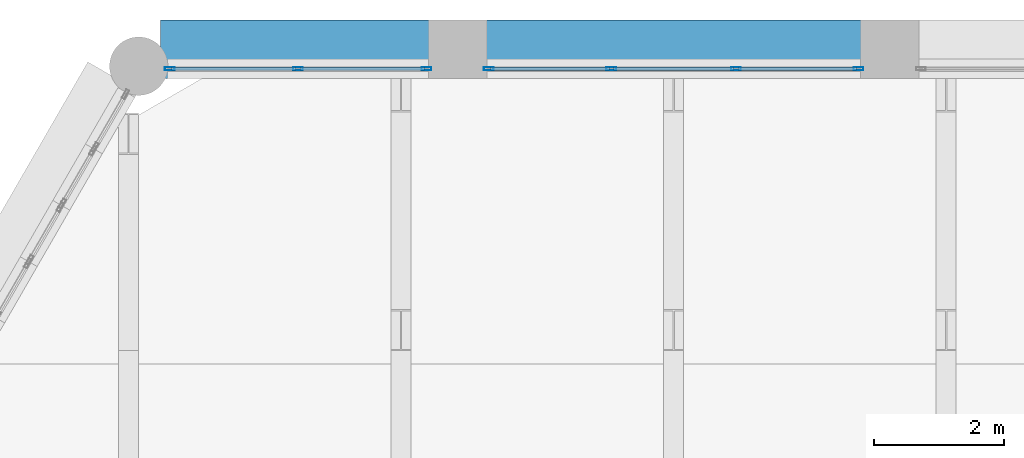
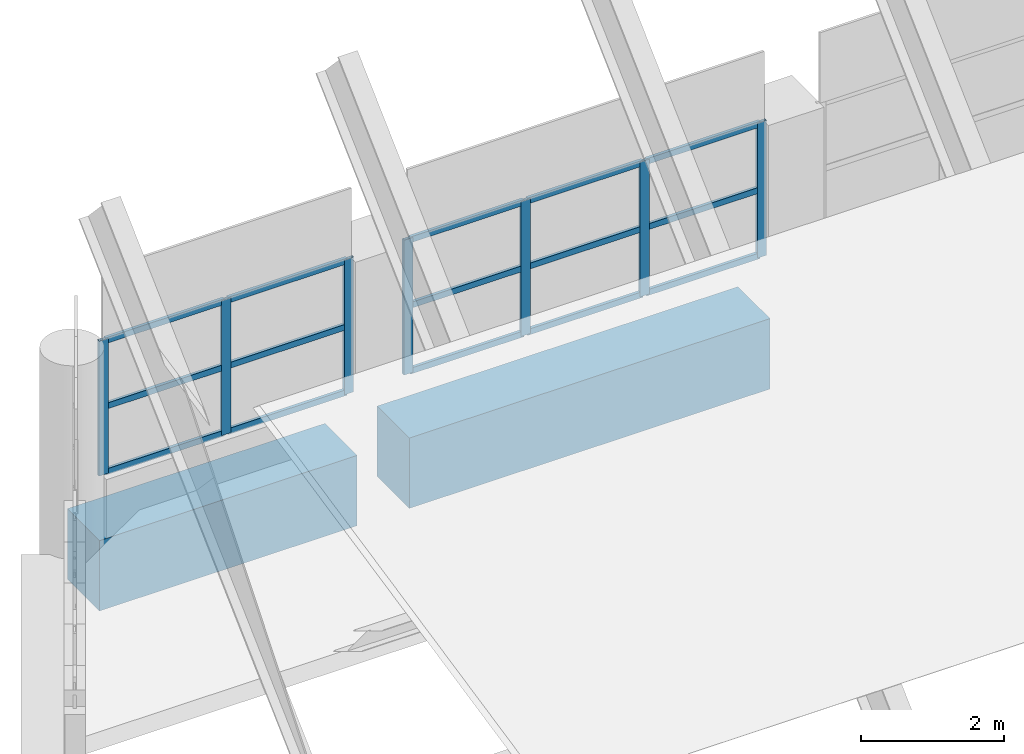
# One storey, part 5 of 11: 22 members, 2 beams, 2 elements without a shape of their own.
"""IFC4 building model written with IfcOpenShell, lengths in metres."""

from ifc_helpers import new_model, si_unit, direction, frame, origin, origin_2d, place, context, subcontext, project, spatial, rectangle, hollow_rectangle, extrude, material, material_profile, profile_set, type_object, element, aggregate, save


model = new_model("IFC4")

# Units and contexts
model_context = context("Model", 3, precision=1e-05, world=origin(), true_north=direction((0.0, 1.0)))
body_context = subcontext(model_context, "Body", "Model", "MODEL_VIEW")
ifc_project = project(units=[si_unit("LENGTHUNIT", "METRE"), si_unit("AREAUNIT", "SQUARE_METRE"), si_unit("VOLUMEUNIT", "CUBIC_METRE"), si_unit("PLANEANGLEUNIT", "RADIAN"), si_unit("MASSUNIT", "GRAM", prefix="KILO")], contexts=[model_context])

# Site, building, storey
site_placement = place(None, origin())
site = spatial("IfcSite", under=ifc_project, at=site_placement, CompositionType="ELEMENT")
building_placement = place(site_placement, origin())
building = spatial("IfcBuilding", under=site, at=building_placement, Name="Ostrander Bayou Hotel Tower", CompositionType="ELEMENT")
storey_placement = place(building_placement, frame((0.0, 0.0, 297.5)))
storey = spatial("IfcBuildingStorey", under=building, at=storey_placement, Name="Roof 73", CompositionType="ELEMENT", Elevation=297.5)

# Curtain wall, members
ifc_material_1 = material(Name="Aluminium and clear glass", Category="aluminium")
curtain_wall_type = type_object("IfcCurtainWallType", Name="CW-CROWN glazed wall", PredefinedType="NOTDEFINED", material=ifc_material_1)
curtain_wall_1_placement = place(storey_placement, origin())
curtain_wall_1 = element("IfcCurtainWall", 1, at=curtain_wall_1_placement, inside=storey, type_object=curtain_wall_type, Name="CW-CROWN L73:N-2", PredefinedType="NOTDEFINED")
ifc_material_2 = material(Name="Aluminium", Category="aluminium")
ifc_material_profile_1 = material_profile(ifc_material_2, hollow_rectangle(XDim=0.050048828125, YDim=0.14990234375, WallThickness=0.00390625, at=origin_2d()))
ifc_profile_set_1 = profile_set([ifc_material_profile_1], Name="Aluminium")
member_type_1 = type_object("IfcMemberType", Name="CW-CR mullion 50 x 150 mm", PredefinedType="MULLION", material=ifc_profile_set_1)
member_1_placement = place(storey_placement, frame((2.849365234375, 16.550048828125, 1.0), z_axis=(0.0, 0.0, 1.0), x_axis=(0.0, -1.0, 0.0)))
member_1 = element("IfcMember", 2, at=member_1_placement, type_object=member_type_1, Name="CW-CROWN mullion 1", PredefinedType="MULLION", context=body_context, shape_type="SweptSolid", body=[
    extrude(hollow_rectangle(XDim=0.050048828125, YDim=0.14990234375, WallThickness=0.00390625, at=origin_2d()), origin(), (0.0, 0.0, 1.0), 2.300048828125),
])
member_2_placement = place(storey_placement, frame((0.959716796875, 16.550048828125, 1.0), z_axis=(0.0, 0.0, 1.0), x_axis=(0.0, -1.0, 0.0)))
member_2 = element("IfcMember", 3, at=member_2_placement, type_object=member_type_1, Name="CW-CROWN mullion 2", PredefinedType="MULLION", context=body_context, shape_type="SweptSolid", body=[
    extrude(hollow_rectangle(XDim=0.050048828125, YDim=0.14990234375, WallThickness=0.00390625, at=origin_2d()), origin(), (0.0, 0.0, 1.0), 2.300048828125),
])
member_3_placement = place(storey_placement, frame((-0.959716796875, 16.550048828125, 1.0), z_axis=(0.0, 0.0, 1.0), x_axis=(0.0, -1.0, 0.0)))
member_3 = element("IfcMember", 4, at=member_3_placement, type_object=member_type_1, Name="CW-CROWN mullion 3", PredefinedType="MULLION", context=body_context, shape_type="SweptSolid", body=[
    extrude(hollow_rectangle(XDim=0.050048828125, YDim=0.14990234375, WallThickness=0.00390625, at=origin_2d()), origin(), (0.0, 0.0, 1.0), 2.300048828125),
])
member_4_placement = place(storey_placement, frame((-2.849365234375, 16.550048828125, 1.0), z_axis=(0.0, 0.0, 1.0), x_axis=(0.0, -1.0, 0.0)))
member_4 = element("IfcMember", 5, at=member_4_placement, type_object=member_type_1, Name="CW-CROWN mullion 4", PredefinedType="MULLION", context=body_context, shape_type="SweptSolid", body=[
    extrude(hollow_rectangle(XDim=0.050048828125, YDim=0.14990234375, WallThickness=0.00390625, at=origin_2d()), origin(), (0.0, 0.0, 1.0), 2.300048828125),
])

curtain_wall_2_placement = place(storey_placement, origin())
curtain_wall_2 = element("IfcCurtainWall", 6, at=curtain_wall_2_placement, inside=storey, type_object=curtain_wall_type, Name="CW-CROWN L73:N-3", PredefinedType="NOTDEFINED")
member_5_placement = place(storey_placement, frame((-3.809326171875, 16.550048828125, 1.0), z_axis=(0.0, 0.0, 1.0), x_axis=(0.0, -1.0, 0.0)))
member_5 = element("IfcMember", 7, at=member_5_placement, type_object=member_type_1, Name="CW-CROWN mullion 1", PredefinedType="MULLION", context=body_context, shape_type="SweptSolid", body=[
    extrude(hollow_rectangle(XDim=0.050048828125, YDim=0.14990234375, WallThickness=0.00390625, at=origin_2d()), origin(), (0.0, 0.0, 1.0), 2.300048828125),
])
member_6_placement = place(storey_placement, frame((-5.78759765625, 16.550048828125, 1.0), z_axis=(0.0, 0.0, 1.0), x_axis=(0.0, -1.0, 0.0)))
member_6 = element("IfcMember", 8, at=member_6_placement, type_object=member_type_1, Name="CW-CROWN mullion 2", PredefinedType="MULLION", context=body_context, shape_type="SweptSolid", body=[
    extrude(hollow_rectangle(XDim=0.050048828125, YDim=0.14990234375, WallThickness=0.00390625, at=origin_2d()), origin(), (0.0, 0.0, 1.0), 2.300048828125),
])
member_7_placement = place(storey_placement, frame((-7.765869140625, 16.550048828125, 1.0), z_axis=(0.0, 0.0, 1.0), x_axis=(0.0, -1.0, 0.0)))
member_7 = element("IfcMember", 9, at=member_7_placement, type_object=member_type_1, Name="CW-CROWN mullion 3", PredefinedType="MULLION", context=body_context, shape_type="SweptSolid", body=[
    extrude(hollow_rectangle(XDim=0.050048828125, YDim=0.14990234375, WallThickness=0.00390625, at=origin_2d()), origin(), (0.0, 0.0, 1.0), 2.300048828125),
])

# Member
ifc_material_3 = material(Name="Aluminium", Category="aluminium")
ifc_material_profile_2 = material_profile(ifc_material_3, hollow_rectangle(XDim=0.050048828125, YDim=0.10009765625, WallThickness=0.00390625, at=origin_2d()))
ifc_profile_set_2 = profile_set([ifc_material_profile_2], Name="Aluminium")
member_type_2 = type_object("IfcMemberType", Name="CW-CR transom 50 x 100 mm", PredefinedType="USERDEFINED", material=ifc_profile_set_2)
member_8_placement = place(storey_placement, frame((2.8193359375, 16.550048828125, 1.030029296875), z_axis=(-1.0, 0.0, 0.0), x_axis=(0.0, -1.0, 0.0)))
member_8 = element("IfcMember", 10, at=member_8_placement, type_object=member_type_2, Name="CW-CROWN transom 1.1", ObjectType="TRANSOM", PredefinedType="USERDEFINED", context=body_context, shape_type="SweptSolid", body=[
    extrude(hollow_rectangle(XDim=0.050048828125, YDim=0.10009765625, WallThickness=0.00390625, at=origin_2d()), origin(), (0.0, 0.0, 1.0), 1.82958984375),
])

member_9_placement = place(storey_placement, frame((2.8193359375, 16.550048828125, 2.14990234375), z_axis=(-1.0, 0.0, 0.0), x_axis=(0.0, -1.0, 0.0)))
member_9 = element("IfcMember", 11, at=member_9_placement, type_object=member_type_2, Name="CW-CROWN transom 1.2", ObjectType="TRANSOM", PredefinedType="USERDEFINED", context=body_context, shape_type="SweptSolid", body=[
    extrude(hollow_rectangle(XDim=0.050048828125, YDim=0.10009765625, WallThickness=0.00390625, at=origin_2d()), origin(), (0.0, 0.0, 1.0), 1.82958984375),
])

member_10_placement = place(storey_placement, frame((2.8193359375, 16.550048828125, 3.27001953125), z_axis=(-1.0, 0.0, 0.0), x_axis=(0.0, -1.0, 0.0)))
member_10 = element("IfcMember", 12, at=member_10_placement, type_object=member_type_2, Name="CW-CROWN transom 1.3", ObjectType="TRANSOM", PredefinedType="USERDEFINED", context=body_context, shape_type="SweptSolid", body=[
    extrude(hollow_rectangle(XDim=0.050048828125, YDim=0.10009765625, WallThickness=0.00390625, at=origin_2d()), origin(), (0.0, 0.0, 1.0), 1.82958984375),
])

member_11_placement = place(storey_placement, frame((0.9296875, 16.550048828125, 1.030029296875), z_axis=(-1.0, 0.0, 0.0), x_axis=(0.0, -1.0, 0.0)))
member_11 = element("IfcMember", 13, at=member_11_placement, type_object=member_type_2, Name="CW-CROWN transom 2.1", ObjectType="TRANSOM", PredefinedType="USERDEFINED", context=body_context, shape_type="SweptSolid", body=[
    extrude(hollow_rectangle(XDim=0.050048828125, YDim=0.10009765625, WallThickness=0.00390625, at=origin_2d()), origin(), (0.0, 0.0, 1.0), 1.859375),
])

member_12_placement = place(storey_placement, frame((0.9296875, 16.550048828125, 2.14990234375), z_axis=(-1.0, 0.0, 0.0), x_axis=(0.0, -1.0, 0.0)))
member_12 = element("IfcMember", 14, at=member_12_placement, type_object=member_type_2, Name="CW-CROWN transom 2.2", ObjectType="TRANSOM", PredefinedType="USERDEFINED", context=body_context, shape_type="SweptSolid", body=[
    extrude(hollow_rectangle(XDim=0.050048828125, YDim=0.10009765625, WallThickness=0.00390625, at=origin_2d()), origin(), (0.0, 0.0, 1.0), 1.859375),
])

member_13_placement = place(storey_placement, frame((0.9296875, 16.550048828125, 3.27001953125), z_axis=(-1.0, 0.0, 0.0), x_axis=(0.0, -1.0, 0.0)))
member_13 = element("IfcMember", 15, at=member_13_placement, type_object=member_type_2, Name="CW-CROWN transom 2.3", ObjectType="TRANSOM", PredefinedType="USERDEFINED", context=body_context, shape_type="SweptSolid", body=[
    extrude(hollow_rectangle(XDim=0.050048828125, YDim=0.10009765625, WallThickness=0.00390625, at=origin_2d()), origin(), (0.0, 0.0, 1.0), 1.859375),
])

member_14_placement = place(storey_placement, frame((-0.98974609375, 16.550048828125, 1.030029296875), z_axis=(-1.0, 0.0, 0.0), x_axis=(0.0, -1.0, 0.0)))
member_14 = element("IfcMember", 16, at=member_14_placement, type_object=member_type_2, Name="CW-CROWN transom 3.1", ObjectType="TRANSOM", PredefinedType="USERDEFINED", context=body_context, shape_type="SweptSolid", body=[
    extrude(hollow_rectangle(XDim=0.050048828125, YDim=0.10009765625, WallThickness=0.00390625, at=origin_2d()), origin(), (0.0, 0.0, 1.0), 1.82958984375),
])

member_15_placement = place(storey_placement, frame((-0.98974609375, 16.550048828125, 2.14990234375), z_axis=(-1.0, 0.0, 0.0), x_axis=(0.0, -1.0, 0.0)))
member_15 = element("IfcMember", 17, at=member_15_placement, type_object=member_type_2, Name="CW-CROWN transom 3.2", ObjectType="TRANSOM", PredefinedType="USERDEFINED", context=body_context, shape_type="SweptSolid", body=[
    extrude(hollow_rectangle(XDim=0.050048828125, YDim=0.10009765625, WallThickness=0.00390625, at=origin_2d()), origin(), (0.0, 0.0, 1.0), 1.82958984375),
])

member_16_placement = place(storey_placement, frame((-0.98974609375, 16.550048828125, 3.27001953125), z_axis=(-1.0, 0.0, 0.0), x_axis=(0.0, -1.0, 0.0)))
member_16 = element("IfcMember", 18, at=member_16_placement, type_object=member_type_2, Name="CW-CROWN transom 3.3", ObjectType="TRANSOM", PredefinedType="USERDEFINED", context=body_context, shape_type="SweptSolid", body=[
    extrude(hollow_rectangle(XDim=0.050048828125, YDim=0.10009765625, WallThickness=0.00390625, at=origin_2d()), origin(), (0.0, 0.0, 1.0), 1.82958984375),
])

aggregate(curtain_wall_1, [member_1, member_2, member_3, member_4, member_8, member_9, member_10, member_11, member_12, member_13, member_14, member_15, member_16])

member_17_placement = place(storey_placement, frame((-3.83935546875, 16.550048828125, 1.030029296875), z_axis=(-1.0, 0.0, 0.0), x_axis=(0.0, -1.0, 0.0)))
member_17 = element("IfcMember", 19, at=member_17_placement, type_object=member_type_2, Name="CW-CROWN transom 1.1", ObjectType="TRANSOM", PredefinedType="USERDEFINED", context=body_context, shape_type="SweptSolid", body=[
    extrude(hollow_rectangle(XDim=0.050048828125, YDim=0.10009765625, WallThickness=0.00390625, at=origin_2d()), origin(), (0.0, 0.0, 1.0), 1.918212890625),
])

member_18_placement = place(storey_placement, frame((-3.83935546875, 16.550048828125, 2.14990234375), z_axis=(-1.0, 0.0, 0.0), x_axis=(0.0, -1.0, 0.0)))
member_18 = element("IfcMember", 20, at=member_18_placement, type_object=member_type_2, Name="CW-CROWN transom 1.2", ObjectType="TRANSOM", PredefinedType="USERDEFINED", context=body_context, shape_type="SweptSolid", body=[
    extrude(hollow_rectangle(XDim=0.050048828125, YDim=0.10009765625, WallThickness=0.00390625, at=origin_2d()), origin(), (0.0, 0.0, 1.0), 1.918212890625),
])

member_19_placement = place(storey_placement, frame((-3.83935546875, 16.550048828125, 3.27001953125), z_axis=(-1.0, 0.0, 0.0), x_axis=(0.0, -1.0, 0.0)))
member_19 = element("IfcMember", 21, at=member_19_placement, type_object=member_type_2, Name="CW-CROWN transom 1.3", ObjectType="TRANSOM", PredefinedType="USERDEFINED", context=body_context, shape_type="SweptSolid", body=[
    extrude(hollow_rectangle(XDim=0.050048828125, YDim=0.10009765625, WallThickness=0.00390625, at=origin_2d()), origin(), (0.0, 0.0, 1.0), 1.918212890625),
])

member_20_placement = place(storey_placement, frame((-5.817626953125, 16.550048828125, 1.030029296875), z_axis=(-1.0, 0.0, 0.0), x_axis=(0.0, -1.0, 0.0)))
member_20 = element("IfcMember", 22, at=member_20_placement, type_object=member_type_2, Name="CW-CROWN transom 2.1", ObjectType="TRANSOM", PredefinedType="USERDEFINED", context=body_context, shape_type="SweptSolid", body=[
    extrude(hollow_rectangle(XDim=0.050048828125, YDim=0.10009765625, WallThickness=0.00390625, at=origin_2d()), origin(), (0.0, 0.0, 1.0), 1.918212890625),
])

member_21_placement = place(storey_placement, frame((-5.817626953125, 16.550048828125, 2.14990234375), z_axis=(-1.0, 0.0, 0.0), x_axis=(0.0, -1.0, 0.0)))
member_21 = element("IfcMember", 23, at=member_21_placement, type_object=member_type_2, Name="CW-CROWN transom 2.2", ObjectType="TRANSOM", PredefinedType="USERDEFINED", context=body_context, shape_type="SweptSolid", body=[
    extrude(hollow_rectangle(XDim=0.050048828125, YDim=0.10009765625, WallThickness=0.00390625, at=origin_2d()), origin(), (0.0, 0.0, 1.0), 1.918212890625),
])

member_22_placement = place(storey_placement, frame((-5.817626953125, 16.550048828125, 3.27001953125), z_axis=(-1.0, 0.0, 0.0), x_axis=(0.0, -1.0, 0.0)))
member_22 = element("IfcMember", 24, at=member_22_placement, type_object=member_type_2, Name="CW-CROWN transom 2.3", ObjectType="TRANSOM", PredefinedType="USERDEFINED", context=body_context, shape_type="SweptSolid", body=[
    extrude(hollow_rectangle(XDim=0.050048828125, YDim=0.10009765625, WallThickness=0.00390625, at=origin_2d()), origin(), (0.0, 0.0, 1.0), 1.918212890625),
])

aggregate(curtain_wall_2, [member_5, member_6, member_7, member_17, member_18, member_19, member_20, member_21, member_22])

# Beams
ifc_material_4 = material(Name="Concrete f'c 60 MPa", Category="concrete")
ifc_material_profile_3 = material_profile(ifc_material_4, rectangle(XDim=0.89990234375, YDim=1.199951171875, at=origin_2d()))
ifc_profile_set_3 = profile_set([ifc_material_profile_3], Name="Concrete f'c 60 MPa")
beam_type = type_object("IfcBeamType", Name="SP4 spandrel beam 900 x 1200 mm f'c 60 MPa", PredefinedType="SPANDREL", material=ifc_profile_set_3)
beam_1_placement = place(storey_placement, frame((2.909423828125, 16.85009765625, -0.60009765625), z_axis=(-1.0, 0.0, 0.0), x_axis=(0.0, -1.0, 0.0)))
element("IfcBeam", 25, at=beam_1_placement, inside=storey, type_object=beam_type, Name="SP4 L73 N-2", PredefinedType="SPANDREL", context=body_context, shape_type="SweptSolid", body=[
    extrude(rectangle(XDim=0.89990234375, YDim=1.199951171875, at=origin_2d()), origin(), (0.0, 0.0, 1.0), 5.81884765625),
])
beam_2_placement = place(storey_placement, frame((-3.74951171875, 16.85009765625, -0.60009765625), z_axis=(-1.0, 0.0, 0.0), x_axis=(0.0, -1.0, 0.0)))
element("IfcBeam", 26, at=beam_2_placement, inside=storey, type_object=beam_type, Name="SP4 L73 N-3", PredefinedType="SPANDREL", context=body_context, shape_type="SweptSolid", body=[
    extrude(rectangle(XDim=0.89990234375, YDim=1.199951171875, at=origin_2d()), origin(), (0.0, 0.0, 1.0), 4.15625),
])

save(model, "model.ifc")
